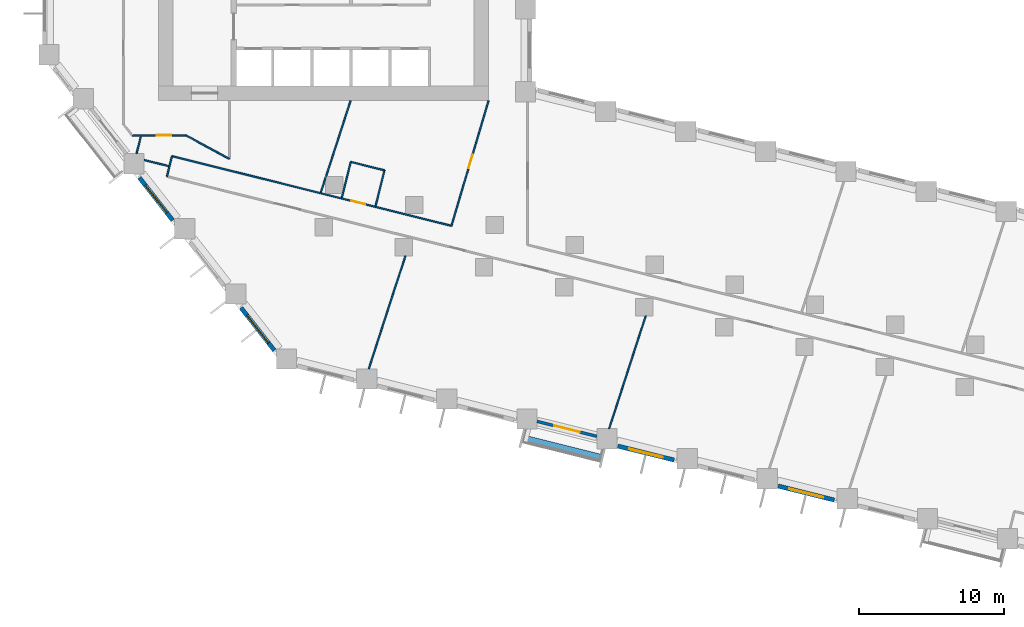
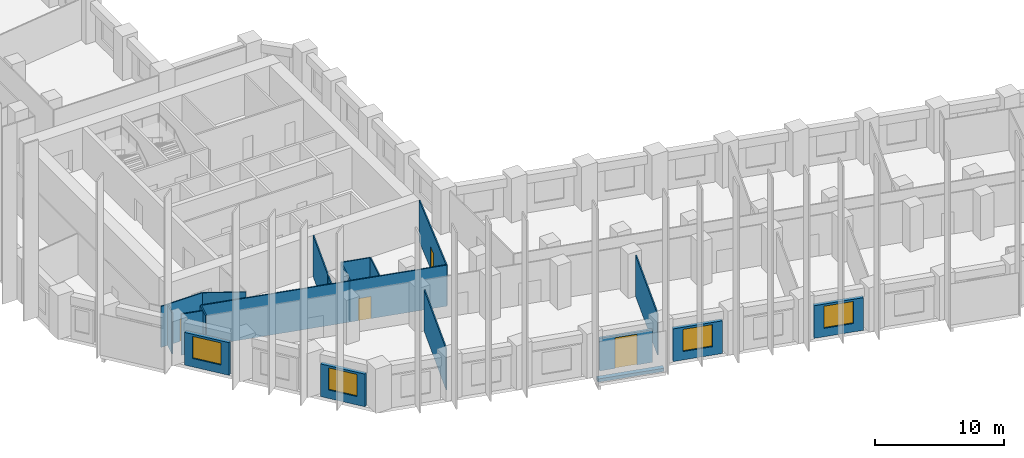
# One storey, part 3 of 12: 21 walls, 4 doors, 4 windows, 8 openings.
"""IFC4 building model written with IfcOpenShell, lengths in metres."""

from ifc_helpers import new_model, si_unit, direction, frame, frame_2d, origin, place, context, subcontext, project, spatial, rectangle, extrude, material, layer, layer_set, type_object, element, fill, save


model = new_model("IFC4")

# Units and contexts
model_context = context("Model", 3, precision=1e-05, world=origin(), true_north=direction((0.0, 1.0)))
body_context = subcontext(model_context, "Body", "Model", "MODEL_VIEW")
ifc_project = project(units=[si_unit("LENGTHUNIT", "METRE"), si_unit("AREAUNIT", "SQUARE_METRE"), si_unit("VOLUMEUNIT", "CUBIC_METRE"), si_unit("PLANEANGLEUNIT", "RADIAN"), si_unit("MASSUNIT", "GRAM", prefix="KILO")], contexts=[model_context])

# Site, building, storey
site_placement = place(None, origin())
site = spatial("IfcSite", under=ifc_project, at=site_placement, CompositionType="ELEMENT")
building_placement = place(site_placement, origin())
building = spatial("IfcBuilding", under=site, at=building_placement, Name="Meshkara Civic Tower", CompositionType="ELEMENT")
storey_placement = place(building_placement, frame((0.0, 0.0, 66.60009765625)))
storey = spatial("IfcBuildingStorey", under=building, at=storey_placement, Name="L14", CompositionType="ELEMENT", Elevation=66.60009765625)

# Wall, opening, door
ifc_material_1 = material(Name="Corridor wall 100")
ifc_layer_1 = layer(ifc_material_1, 0.10009765625)
ifc_layer_set_1 = layer_set([ifc_layer_1], Name="Corridor wall 100")
wall_type_1 = type_object("IfcWallType", Name="Corridor wall 100", PredefinedType="PARTITIONING", material=ifc_layer_set_1)
wall_1_placement = place(storey_placement, frame((6.18505859375, 11.699951171875, 0.0), z_axis=(0.0, 0.0, 1.0), x_axis=(1.0, 0.0, 0.0)))
wall_1 = element("IfcWall", 1, at=wall_1_placement, inside=storey, type_object=wall_type_1, Name="L14-W006", PredefinedType="PARTITIONING", context=body_context, shape_type="SweptSolid", body=[
    extrude(rectangle(XDim=3.71484375, YDim=0.10009765625, at=frame_2d((1.857421875, 0.0))), origin(), (0.0, 0.0, 1.0), 3.89990234375),
])
opening_1_placement = place(wall_1_placement, frame((1.69189453125, 0.0, 0.0)))
opening_1 = element("IfcOpeningElement", 2, at=opening_1_placement, cuts=wall_1, Name="Opening L14-D012", PredefinedType="OPENING", context=body_context, shape_type="SweptSolid", body=[
    extrude(rectangle(XDim=1.0, YDim=2.10009765625, at=frame_2d((0.5, 1.050048828125))), frame((0.0, 0.06005859375, 0.0), z_axis=(0.0, -1.0, 0.0), x_axis=(1.0, 0.0, 0.0)), (0.0, 0.0, 1.0), 0.1201171875),
])
ifc_material_2 = material(Name="Door 1000 x 2100")
door_type_1 = type_object("IfcDoorType", Name="Door 1000 x 2100", OperationType="SINGLE_SWING_LEFT", PredefinedType="DOOR", material=ifc_material_2)
door_1_placement = place(opening_1_placement, origin())
door_1 = element("IfcDoor", 3, at=door_1_placement, inside=storey, type_object=door_type_1, Name="L14-D012", OperationType="SINGLE_SWING_LEFT", OverallHeight=2.10009765625, OverallWidth=1.0, PredefinedType="DOOR", context=body_context, shape_type="SweptSolid", body=[
    extrude(rectangle(XDim=1.0, YDim=2.10009765625, at=frame_2d((0.5, 1.050048828125))), frame((0.0, 0.02490234375, 0.0), z_axis=(0.0, -1.0, 0.0), x_axis=(1.0, 0.0, 0.0)), (0.0, 0.0, 1.0), 0.050048828125),
])
fill(opening_1, door_1)

wall_2_placement = place(storey_placement, frame((8.944091796875, 10.263916015625, 0.0), z_axis=(0.0, 0.0, 1.0), x_axis=(0.970300504447, -0.241902730595, 0.0)))
wall_2 = element("IfcWall", 4, at=wall_2_placement, inside=storey, type_object=wall_type_1, Name="L14-W009", PredefinedType="PARTITIONING", context=body_context, shape_type="SweptSolid", body=[
    extrude(rectangle(XDim=19.879150390625, YDim=0.10009765625, at=frame_2d((9.939453125, 0.0))), origin(), (0.0, 0.0, 1.0), 3.89990234375),
])
opening_2_placement = place(wall_2_placement, frame((12.7490234375, 0.0, 0.0)))
opening_2 = element("IfcOpeningElement", 5, at=opening_2_placement, cuts=wall_2, Name="Opening L14-D014", PredefinedType="OPENING", context=body_context, shape_type="SweptSolid", body=[
    extrude(rectangle(XDim=1.0, YDim=2.10009765625, at=frame_2d((0.5, 1.050048828125))), frame((0.0, 0.06005859375, 0.0), z_axis=(0.0, -1.0, 0.0), x_axis=(1.0, 0.0, 0.0)), (0.0, 0.0, 1.0), 0.1201171875),
])
door_2_placement = place(opening_2_placement, origin())
door_2 = element("IfcDoor", 6, at=door_2_placement, inside=storey, type_object=door_type_1, Name="L14-D014", OperationType="SINGLE_SWING_LEFT", OverallHeight=2.10009765625, OverallWidth=1.0, PredefinedType="DOOR", context=body_context, shape_type="SweptSolid", body=[
    extrude(rectangle(XDim=1.0, YDim=2.10009765625, at=frame_2d((0.5, 1.050048828125))), frame((0.0, 0.02490234375, 0.0), z_axis=(0.0, -1.0, 0.0), x_axis=(1.0, 0.0, 0.0)), (0.0, 0.0, 1.0), 0.050048828125),
])
fill(opening_2, door_2)

# Walls
wall_3_placement = place(storey_placement, frame((8.944091796875, 10.263916015625, 0.0), z_axis=(0.0, 0.0, 1.0), x_axis=(-0.242297077633, -0.970202105837, 0.0)))
element("IfcWall", 7, at=wall_3_placement, inside=storey, type_object=wall_type_1, Name="L14-W010", PredefinedType="PARTITIONING", context=body_context, shape_type="SweptSolid", body=[
    extrude(rectangle(XDim=1.44482421875, YDim=0.10009765625, at=frame_2d((0.722412109375, 0.0))), origin(), (0.0, 0.0, 1.0), 3.89990234375),
])
wall_4_placement = place(storey_placement, frame((9.89990234375, 11.699951171875, 0.0), z_axis=(0.0, 0.0, 1.0), x_axis=(0.87965147249, -0.475618846291, 0.0)))
element("IfcWall", 8, at=wall_4_placement, inside=storey, type_object=wall_type_1, Name="L14-W011", PredefinedType="PARTITIONING", context=body_context, shape_type="SweptSolid", body=[
    extrude(rectangle(XDim=3.410400390625, YDim=0.10009765625, at=frame_2d((1.705078125, 0.0))), origin(), (0.0, 0.0, 1.0), 3.89990234375),
])

# Wall, opening, door
wall_5_placement = place(storey_placement, frame((30.800048828125, 14.10009765625, 0.0), z_axis=(0.0, 0.0, 1.0), x_axis=(-0.284664373847, -0.95862724469, 0.0)))
wall_5 = element("IfcWall", 9, at=wall_5_placement, inside=storey, type_object=wall_type_1, Name="L14-W021", PredefinedType="PARTITIONING", context=body_context, shape_type="SweptSolid", body=[
    extrude(rectangle(XDim=9.01806640625, YDim=0.10009765625, at=frame_2d((4.509033203125, 0.0))), origin(), (0.0, 0.0, 1.0), 3.89990234375),
])
opening_3_placement = place(wall_5_placement, frame((3.8798828125, 0.0, 0.0)))
opening_3 = element("IfcOpeningElement", 10, at=opening_3_placement, cuts=wall_5, Name="Opening L14-D015", PredefinedType="OPENING", context=body_context, shape_type="SweptSolid", body=[
    extrude(rectangle(XDim=1.0, YDim=2.10009765625, at=frame_2d((0.5, 1.050048828125))), frame((0.0, 0.06005859375, 0.0), z_axis=(0.0, -1.0, 0.0), x_axis=(1.0, 0.0, 0.0)), (0.0, 0.0, 1.0), 0.1201171875),
])
door_3_placement = place(opening_3_placement, origin())
door_3 = element("IfcDoor", 11, at=door_3_placement, inside=storey, type_object=door_type_1, Name="L14-D015", OperationType="SINGLE_SWING_RIGHT", OverallHeight=2.10009765625, OverallWidth=1.0, PredefinedType="DOOR", context=body_context, shape_type="SweptSolid", body=[
    extrude(rectangle(XDim=1.0, YDim=2.10009765625, at=frame_2d((0.5, 1.050048828125))), frame((0.0, 0.02490234375, 0.0), z_axis=(0.0, -1.0, 0.0), x_axis=(1.0, 0.0, 0.0)), (0.0, 0.0, 1.0), 0.050048828125),
])
fill(opening_3, door_3)

# Wall, opening, window
ifc_material_3 = material(Name="Insulated infill panel with bronze anodised aluminium cladding", Category="aluminium")
ifc_layer_2 = layer(ifc_material_3, 0.300048828125)
ifc_layer_set_2 = layer_set([ifc_layer_2], Name="EXTERNAL INFILL WALL 300")
wall_type_2 = type_object("IfcWallType", Name="EXTERNAL INFILL WALL 300", PredefinedType="SOLIDWALL", material=ifc_layer_set_2)
wall_6_placement = place(storey_placement, frame((6.69189453125, 8.778076171875, 0.0), z_axis=(0.0, 0.0, 1.0), x_axis=(0.615767067156, -0.787928244833, 0.0)))
wall_6 = element("IfcWall", 12, at=wall_6_placement, inside=storey, type_object=wall_type_2, Name="External wall", PredefinedType="SOLIDWALL", context=body_context, shape_type="SweptSolid", body=[
    extrude(rectangle(XDim=3.7353515625, YDim=0.300048828125, at=frame_2d((1.86767578125, 0.0))), origin(), (0.0, 0.0, 1.0), 3.099853515625),
])
opening_4_placement = place(wall_6_placement, frame((0.66796875, 0.0, 0.800048828125)))
opening_4 = element("IfcOpeningElement", 13, at=opening_4_placement, cuts=wall_6, Name="Opening W7", PredefinedType="OPENING", context=body_context, shape_type="SweptSolid", body=[
    extrude(rectangle(XDim=2.39990234375, YDim=2.10009765625, at=frame_2d((1.199951171875, 1.050048828125))), frame((0.0, 0.159912109375, 0.0), z_axis=(0.0, -1.0, 0.0), x_axis=(1.0, 0.0, 0.0)), (0.0, 0.0, 1.0), 0.320068359375),
])
ifc_material_4 = material(Name="Tinted double glazing", Category="glass")
window_type = type_object("IfcWindowType", Name="WINDOW 2400x2100", PartitioningType="DOUBLE_PANEL_VERTICAL", PredefinedType="WINDOW", material=ifc_material_4)
window_1_placement = place(opening_4_placement, origin())
window_1 = element("IfcWindow", 14, at=window_1_placement, inside=storey, type_object=window_type, Name="Window", OverallHeight=2.10009765625, OverallWidth=2.39990234375, PartitioningType="DOUBLE_PANEL_VERTICAL", PredefinedType="WINDOW", context=body_context, shape_type="SweptSolid", body=[
    extrude(rectangle(XDim=2.39990234375, YDim=2.10009765625, at=frame_2d((1.199951171875, 1.050048828125))), frame((0.0, 0.030029296875, 0.0), z_axis=(0.0, -1.0, 0.0), x_axis=(1.0, 0.0, 0.0)), (0.0, 0.0, 1.0), 0.06005859375),
])
fill(opening_4, window_1)

wall_7_placement = place(storey_placement, frame((13.7099609375, -0.205078125, 0.0), z_axis=(0.0, 0.0, 1.0), x_axis=(0.615798780214, -0.787903460004, 0.0)))
wall_7 = element("IfcWall", 15, at=wall_7_placement, inside=storey, type_object=wall_type_2, Name="External wall", PredefinedType="SOLIDWALL", context=body_context, shape_type="SweptSolid", body=[
    extrude(rectangle(XDim=3.735107421875, YDim=0.300048828125, at=frame_2d((1.86767578125, 0.0))), origin(), (0.0, 0.0, 1.0), 3.099853515625),
])
opening_5_placement = place(wall_7_placement, frame((0.6669921875, 0.0, 0.800048828125)))
opening_5 = element("IfcOpeningElement", 16, at=opening_5_placement, cuts=wall_7, Name="Opening W7", PredefinedType="OPENING", context=body_context, shape_type="SweptSolid", body=[
    extrude(rectangle(XDim=2.39990234375, YDim=2.10009765625, at=frame_2d((1.199951171875, 1.050048828125))), frame((0.0, 0.159912109375, 0.0), z_axis=(0.0, -1.0, 0.0), x_axis=(1.0, 0.0, 0.0)), (0.0, 0.0, 1.0), 0.320068359375),
])
window_2_placement = place(opening_5_placement, origin())
window_2 = element("IfcWindow", 17, at=window_2_placement, inside=storey, type_object=window_type, Name="Window", OverallHeight=2.10009765625, OverallWidth=2.39990234375, PartitioningType="DOUBLE_PANEL_VERTICAL", PredefinedType="WINDOW", context=body_context, shape_type="SweptSolid", body=[
    extrude(rectangle(XDim=2.39990234375, YDim=2.10009765625, at=frame_2d((1.199951171875, 1.050048828125))), frame((0.0, 0.030029296875, 0.0), z_axis=(0.0, -1.0, 0.0), x_axis=(1.0, 0.0, 0.0)), (0.0, 0.0, 1.0), 0.06005859375),
])
fill(opening_5, window_2)

wall_8_placement = place(storey_placement, frame((39.72509765625, -9.75, 0.0), z_axis=(0.0, 0.0, 1.0), x_axis=(0.970314477803, -0.241846674911, 0.0)))
wall_8 = element("IfcWall", 18, at=wall_8_placement, inside=storey, type_object=wall_type_2, Name="External wall", PredefinedType="SOLIDWALL", context=body_context, shape_type="SweptSolid", body=[
    extrude(rectangle(XDim=4.002685546875, YDim=0.300048828125, at=frame_2d((2.00146484375, 0.0))), origin(), (0.0, 0.0, 1.0), 3.099853515625),
])
opening_6_placement = place(wall_8_placement, frame((0.801025390625, 0.0, 0.800048828125)))
opening_6 = element("IfcOpeningElement", 19, at=opening_6_placement, cuts=wall_8, Name="Opening W7", PredefinedType="OPENING", context=body_context, shape_type="SweptSolid", body=[
    extrude(rectangle(XDim=2.39990234375, YDim=2.10009765625, at=frame_2d((1.199951171875, 1.050048828125))), frame((0.0, 0.159912109375, 0.0), z_axis=(0.0, -1.0, 0.0), x_axis=(1.0, 0.0, 0.0)), (0.0, 0.0, 1.0), 0.320068359375),
])
window_3_placement = place(opening_6_placement, origin())
window_3 = element("IfcWindow", 20, at=window_3_placement, inside=storey, type_object=window_type, Name="Window", OverallHeight=2.10009765625, OverallWidth=2.39990234375, PartitioningType="DOUBLE_PANEL_VERTICAL", PredefinedType="WINDOW", context=body_context, shape_type="SweptSolid", body=[
    extrude(rectangle(XDim=2.39990234375, YDim=2.10009765625, at=frame_2d((1.199951171875, 1.050048828125))), frame((0.0, 0.030029296875, 0.0), z_axis=(0.0, -1.0, 0.0), x_axis=(1.0, 0.0, 0.0)), (0.0, 0.0, 1.0), 0.06005859375),
])
fill(opening_6, window_3)

wall_9_placement = place(storey_placement, frame((50.785888671875, -12.508056640625, 0.0), z_axis=(0.0, 0.0, 1.0), x_axis=(0.970318045095, -0.24183236211, 0.0)))
wall_9 = element("IfcWall", 21, at=wall_9_placement, inside=storey, type_object=wall_type_2, Name="External wall", PredefinedType="SOLIDWALL", context=body_context, shape_type="SweptSolid", body=[
    extrude(rectangle(XDim=4.0029296875, YDim=0.300048828125, at=frame_2d((2.00146484375, 0.0))), origin(), (0.0, 0.0, 1.0), 3.099853515625),
])
opening_7_placement = place(wall_9_placement, frame((0.802001953125, 0.0, 0.800048828125)))
opening_7 = element("IfcOpeningElement", 22, at=opening_7_placement, cuts=wall_9, Name="Opening W7", PredefinedType="OPENING", context=body_context, shape_type="SweptSolid", body=[
    extrude(rectangle(XDim=2.39990234375, YDim=2.10009765625, at=frame_2d((1.199951171875, 1.050048828125))), frame((0.0, 0.159912109375, 0.0), z_axis=(0.0, -1.0, 0.0), x_axis=(1.0, 0.0, 0.0)), (0.0, 0.0, 1.0), 0.320068359375),
])
window_4_placement = place(opening_7_placement, origin())
window_4 = element("IfcWindow", 23, at=window_4_placement, inside=storey, type_object=window_type, Name="Window", OverallHeight=2.10009765625, OverallWidth=2.39990234375, PartitioningType="DOUBLE_PANEL_VERTICAL", PredefinedType="WINDOW", context=body_context, shape_type="SweptSolid", body=[
    extrude(rectangle(XDim=2.39990234375, YDim=2.10009765625, at=frame_2d((1.199951171875, 1.050048828125))), frame((0.0, 0.030029296875, 0.0), z_axis=(0.0, -1.0, 0.0), x_axis=(1.0, 0.0, 0.0)), (0.0, 0.0, 1.0), 0.06005859375),
])
fill(opening_7, window_4)

# Wall, opening, door
ifc_material_5 = material(Name="Insulated infill panel with bronze anodised aluminium cladding", Category="aluminium")
ifc_layer_3 = layer(ifc_material_5, 0.199951171875)
ifc_layer_set_3 = layer_set([ifc_layer_3], Name="LOGGIA BACK WALL 200")
wall_type_3 = type_object("IfcWallType", Name="LOGGIA BACK WALL 200", PredefinedType="SOLIDWALL", material=ifc_layer_set_3)
wall_10_placement = place(storey_placement, frame((34.14306640625, -8.049072265625, 0.0), z_axis=(0.0, 0.0, 1.0), x_axis=(0.970290742877, -0.241941882045, 0.0)))
wall_10 = element("IfcWall", 24, at=wall_10_placement, inside=storey, type_object=wall_type_3, Name="Loggia wall", PredefinedType="SOLIDWALL", context=body_context, shape_type="SweptSolid", body=[
    extrude(rectangle(XDim=4.25732421875, YDim=0.199951171875, at=frame_2d((2.128662109375, 0.0))), origin(), (0.0, 0.0, 1.0), 3.099853515625),
])
opening_8_placement = place(wall_10_placement, frame((1.22802734375, 0.0, 0.0)))
opening_8 = element("IfcOpeningElement", 25, at=opening_8_placement, cuts=wall_10, Name="Opening L14-L004", PredefinedType="OPENING", context=body_context, shape_type="SweptSolid", body=[
    extrude(rectangle(XDim=1.800048828125, YDim=2.89990234375, at=frame_2d((0.89990234375, 1.449951171875))), frame((0.0, 0.10986328125, 0.0), z_axis=(0.0, -1.0, 0.0), x_axis=(1.0, 0.0, 0.0)), (0.0, 0.0, 1.0), 0.219970703125),
])
ifc_material_6 = material(Name="Tinted double glazing", Category="glass")
door_type_2 = type_object("IfcDoorType", Name="LOGGIA DOOR 1800x2900", OperationType="DOUBLE_DOOR_SINGLE_SWING", PredefinedType="DOOR", material=ifc_material_6)
door_4_placement = place(opening_8_placement, origin())
door_4 = element("IfcDoor", 26, at=door_4_placement, inside=storey, type_object=door_type_2, Name="L14-L004", OperationType="DOUBLE_DOOR_SINGLE_SWING", OverallHeight=2.89990234375, OverallWidth=1.800048828125, PredefinedType="DOOR", context=body_context, shape_type="SweptSolid", body=[
    extrude(rectangle(XDim=1.800048828125, YDim=2.89990234375, at=frame_2d((0.89990234375, 1.449951171875))), frame((0.0, 0.02490234375, 0.0), z_axis=(0.0, -1.0, 0.0), x_axis=(1.0, 0.0, 0.0)), (0.0, 0.0, 1.0), 0.050048828125),
])
fill(opening_8, door_4)

# Walls
ifc_material_7 = material(Name="Concrete C40", Category="concrete")
ifc_layer_4 = layer(ifc_material_7, 0.39990234375)
ifc_layer_set_4 = layer_set([ifc_layer_4], Name="PLANTER TRAY")
wall_type_4 = type_object("IfcWallType", Name="PLANTER TRAY", PredefinedType="SOLIDWALL", material=ifc_layer_set_4)
wall_11_placement = place(storey_placement, frame((33.285888671875, -9.2060546875, 0.0), z_axis=(0.0, 0.0, 1.0), x_axis=(0.970292345375, -0.241935455249, 0.0)))
element("IfcWall", 27, at=wall_11_placement, inside=storey, type_object=wall_type_4, Name="Planter", PredefinedType="SOLIDWALL", context=body_context, shape_type="SweptSolid", body=[
    extrude(rectangle(XDim=5.3603515625, YDim=0.39990234375, at=frame_2d((2.68017578125, 0.0))), origin(), (0.0, 0.0, 1.0), 0.2998046875),
])
ifc_material_8 = material(Name="Partition 100")
ifc_layer_5 = layer(ifc_material_8, 0.10009765625)
ifc_layer_set_5 = layer_set([ifc_layer_5], Name="Partition 100")
wall_type_5 = type_object("IfcWallType", Name="Partition 100", PredefinedType="PARTITIONING", material=ifc_layer_set_5)
wall_12_placement = place(storey_placement, frame((6.797119140625, 11.637939453125, 0.0), z_axis=(0.0, 0.0, 1.0), x_axis=(-0.242396400943, -0.970177295555, 0.0)))
element("IfcWall", 28, at=wall_12_placement, inside=storey, type_object=wall_type_5, Name="L14-W035", PredefinedType="PARTITIONING", context=body_context, shape_type="SweptSolid", body=[
    extrude(rectangle(XDim=1.23779296875, YDim=0.10009765625, at=frame_2d((0.618896484375, 0.0))), origin(), (0.0, 0.0, 1.0), 3.89990234375),
])
wall_13_placement = place(storey_placement, frame((8.719970703125, 9.573974609375, 0.0), z_axis=(0.0, 0.0, 1.0), x_axis=(-0.97016712555, 0.242437102155, 0.0)))
element("IfcWall", 29, at=wall_13_placement, inside=storey, type_object=wall_type_5, Name="L14-W036", PredefinedType="PARTITIONING", context=body_context, shape_type="SweptSolid", body=[
    extrude(rectangle(XDim=1.749267578125, YDim=0.10009765625, at=frame_2d((0.87451171875, 0.0))), origin(), (0.0, 0.0, 1.0), 3.89990234375),
])
wall_14_placement = place(storey_placement, frame((19.216064453125, 7.758056640625, 0.0), z_axis=(0.0, 0.0, 1.0), x_axis=(0.308748247722, 0.9511437954, 0.0)))
element("IfcWall", 30, at=wall_14_placement, inside=storey, type_object=wall_type_5, Name="L14-W039", PredefinedType="PARTITIONING", context=body_context, shape_type="SweptSolid", body=[
    extrude(rectangle(XDim=1.07861328125, YDim=0.10009765625, at=frame_2d((0.539306640625, 0.0))), origin(), (0.0, 0.0, 1.0), 3.89990234375),
])
wall_15_placement = place(storey_placement, frame((19.576904296875, 8.87109375, 0.0), z_axis=(0.0, 0.0, 1.0), x_axis=(0.309011770838, 0.951058213509, 0.0)))
element("IfcWall", 31, at=wall_15_placement, inside=storey, type_object=wall_type_5, Name="L14-W040", PredefinedType="PARTITIONING", context=body_context, shape_type="SweptSolid", body=[
    extrude(rectangle(XDim=5.498046875, YDim=0.10009765625, at=frame_2d((2.7490234375, 0.0))), origin(), (0.0, 0.0, 1.0), 3.89990234375),
])
wall_16_placement = place(storey_placement, frame((20.6669921875, 7.39306640625, 0.0), z_axis=(0.0, 0.0, 1.0), x_axis=(0.241331539526, 0.970442727846, 0.0)))
element("IfcWall", 32, at=wall_16_placement, inside=storey, type_object=wall_type_5, Name="L14-W042", PredefinedType="PARTITIONING", context=body_context, shape_type="SweptSolid", body=[
    extrude(rectangle(XDim=0.286376953125, YDim=0.10009765625, at=frame_2d((0.14306640625, 0.0))), origin(), (0.0, 0.0, 1.0), 3.89990234375),
])
wall_17_placement = place(storey_placement, frame((20.7490234375, 7.721923828125, 0.0), z_axis=(0.0, 0.0, 1.0), x_axis=(0.241963917433, 0.97028524809, 0.0)))
element("IfcWall", 33, at=wall_17_placement, inside=storey, type_object=wall_type_5, Name="L14-W043", PredefinedType="PARTITIONING", context=body_context, shape_type="SweptSolid", body=[
    extrude(rectangle(XDim=2.210693359375, YDim=0.10009765625, at=frame_2d((1.10546875, 0.0))), origin(), (0.0, 0.0, 1.0), 3.89990234375),
])
wall_18_placement = place(storey_placement, frame((21.283935546875, 9.866943359375, 0.0), z_axis=(0.0, 0.0, 1.0), x_axis=(0.970262034576, -0.242056985565, 0.0)))
element("IfcWall", 34, at=wall_18_placement, inside=storey, type_object=wall_type_5, Name="L14-W044", PredefinedType="PARTITIONING", context=body_context, shape_type="SweptSolid", body=[
    extrude(rectangle(XDim=2.400390625, YDim=0.10009765625, at=frame_2d((1.2001953125, 0.0))), origin(), (0.0, 0.0, 1.0), 3.89990234375),
])
wall_19_placement = place(storey_placement, frame((22.52392578125, -4.4169921875, 0.0), z_axis=(0.0, 0.0, 1.0), x_axis=(0.309171572002, 0.951006277091, 0.0)))
element("IfcWall", 35, at=wall_19_placement, inside=storey, type_object=wall_type_5, Name="L14-W047", PredefinedType="PARTITIONING", context=body_context, shape_type="SweptSolid", body=[
    extrude(rectangle(XDim=8.199951171875, YDim=0.10009765625, at=frame_2d((4.10009765625, 0.0))), origin(), (0.0, 0.0, 1.0), 3.89990234375),
])
wall_20_placement = place(storey_placement, frame((23.613037109375, 9.285888671875, 0.0), z_axis=(0.0, 0.0, 1.0), x_axis=(-0.241972320765, -0.970283152478, 0.0)))
element("IfcWall", 36, at=wall_20_placement, inside=storey, type_object=wall_type_5, Name="L14-W048", PredefinedType="PARTITIONING", context=body_context, shape_type="SweptSolid", body=[
    extrude(rectangle(XDim=2.549560546875, YDim=0.10009765625, at=frame_2d((1.27490234375, 0.0))), origin(), (0.0, 0.0, 1.0), 3.89990234375),
])
wall_21_placement = place(storey_placement, frame((39.115966796875, -8.553955078125, 0.0), z_axis=(0.0, 0.0, 1.0), x_axis=(0.309153397643, 0.951012185372, 0.0)))
element("IfcWall", 37, at=wall_21_placement, inside=storey, type_object=wall_type_5, Name="L14-W049", PredefinedType="PARTITIONING", context=body_context, shape_type="SweptSolid", body=[
    extrude(rectangle(XDim=8.199462890625, YDim=0.10009765625, at=frame_2d((4.099609375, 0.0))), origin(), (0.0, 0.0, 1.0), 3.89990234375),
])

save(model, "model.ifc")
